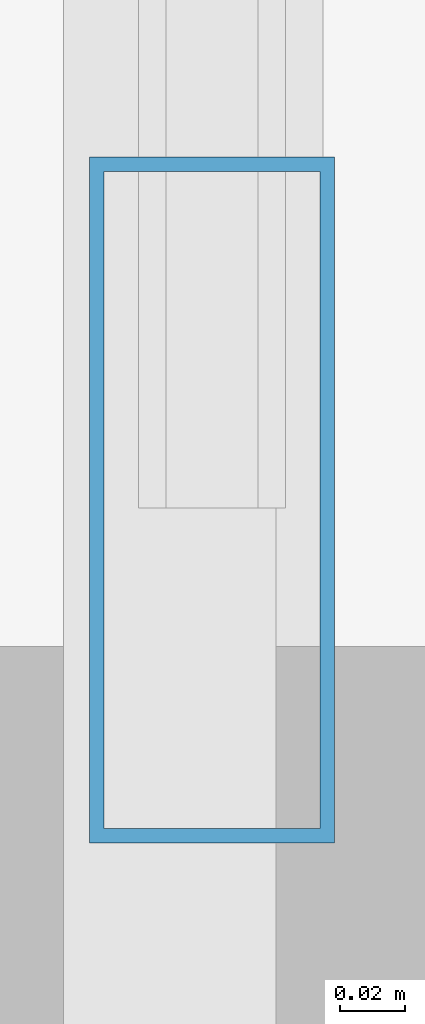
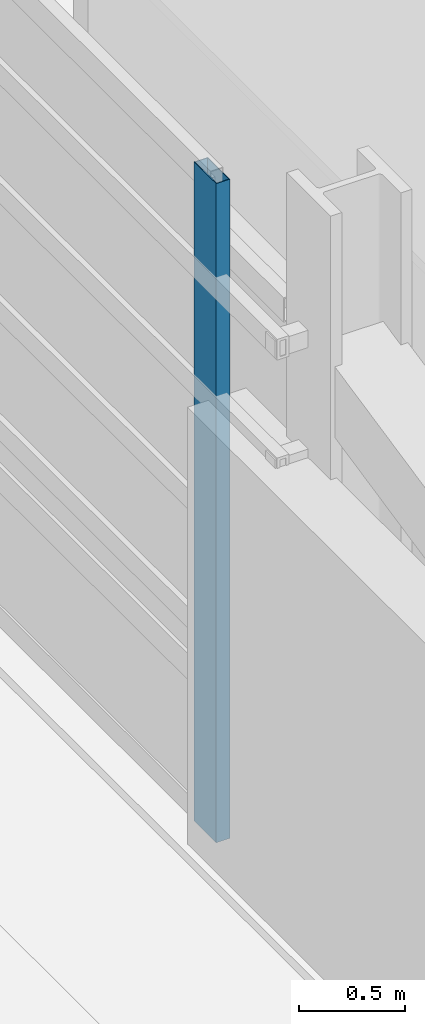
# One storey, part 2 of 30: 1 member, 1 element without a shape of its own.
"""IFC4 building model written with IfcOpenShell, lengths in metres."""

from ifc_helpers import new_model, si_unit, direction, frame, origin, origin_2d, place, context, subcontext, project, spatial, hollow_rectangle, extrude, material, material_profile, profile_set, type_object, element, aggregate, save


model = new_model("IFC4")

# Units and contexts
model_context = context("Model", 3, precision=1e-05, world=origin(), true_north=direction((0.0, 1.0)))
body_context = subcontext(model_context, "Body", "Model", "MODEL_VIEW")
ifc_project = project(units=[si_unit("LENGTHUNIT", "METRE"), si_unit("AREAUNIT", "SQUARE_METRE"), si_unit("VOLUMEUNIT", "CUBIC_METRE"), si_unit("PLANEANGLEUNIT", "RADIAN"), si_unit("MASSUNIT", "GRAM", prefix="KILO")], contexts=[model_context])

# Site, building, storey
site_placement = place(None, origin())
site = spatial("IfcSite", under=ifc_project, at=site_placement, CompositionType="ELEMENT")
building_placement = place(site_placement, origin())
building = spatial("IfcBuilding", under=site, at=building_placement, Name="Punatoya Terracotta Tower", CompositionType="ELEMENT")
storey_placement = place(building_placement, frame((0.0, 0.0, 28.199951171875)))
storey = spatial("IfcBuildingStorey", under=building, at=storey_placement, Name="L05", CompositionType="ELEMENT", Elevation=28.199951171875)

# Curtain wall, member
ifc_material_1 = material(Name="Aluminium 6063-T6 + Double Low-E Glass", Category="aluminium")
curtain_wall_type = type_object("IfcCurtainWallType", Name="CW-M1", PredefinedType="NOTDEFINED", material=ifc_material_1)
curtain_wall_placement = place(storey_placement, origin())
curtain_wall = element("IfcCurtainWall", 1, at=curtain_wall_placement, inside=storey, type_object=curtain_wall_type, Name="L05 Curtain Wall CW-L05-W13-1", PredefinedType="NOTDEFINED")
ifc_material_2 = material(Name="Aluminium 6063-T6", Category="aluminium")
ifc_material_profile = material_profile(ifc_material_2, hollow_rectangle(XDim=0.074951171875, YDim=0.2099609375, WallThickness=0.00439453125, at=origin_2d()))
ifc_profile_set = profile_set([ifc_material_profile], Name="Aluminium 6063-T6")
member_type = type_object("IfcMemberType", Name="CW-MUL-M1", PredefinedType="MULLION", material=ifc_profile_set)
member_placement = place(storey_placement, frame((-24.85009765625, -2.705078125, 0.0), z_axis=(0.0, 0.0, 1.0), x_axis=(1.0, 0.0, 0.0)))
member = element("IfcMember", 2, at=member_placement, type_object=member_type, Name="CW-L05-W13-1 Mullion 02", PredefinedType="MULLION", context=body_context, shape_type="SweptSolid", body=[
    extrude(hollow_rectangle(XDim=0.074951171875, YDim=0.2099609375, WallThickness=0.00439453125, at=origin_2d()), origin(), (0.0, 0.0, 1.0), 3.81005859375),
])
aggregate(curtain_wall, [member])

save(model, "model.ifc")
